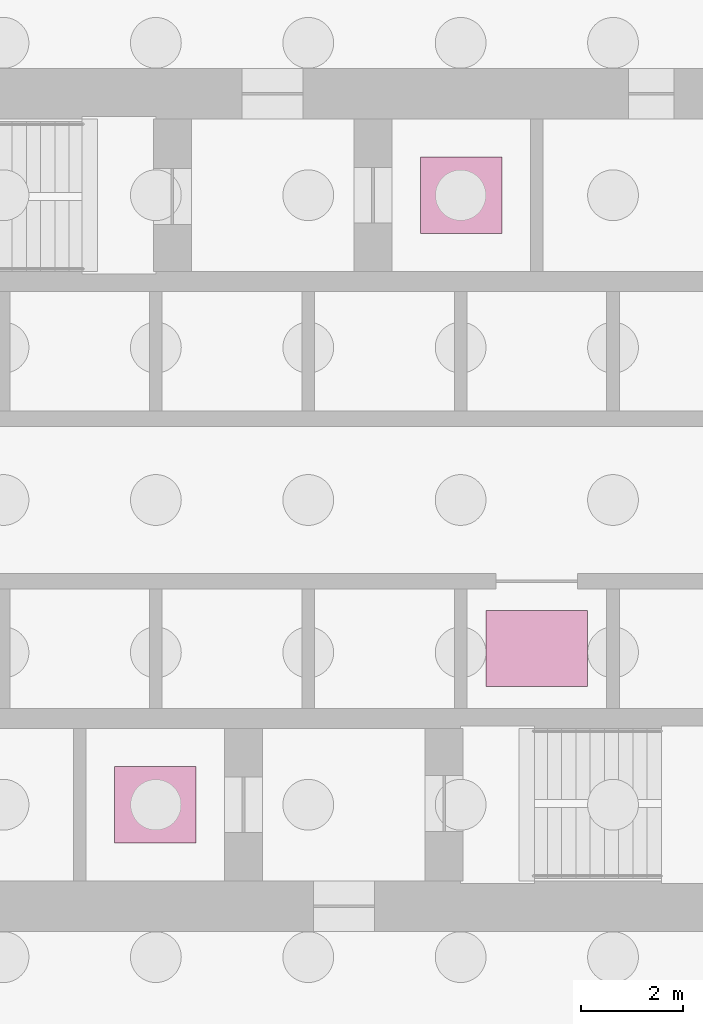
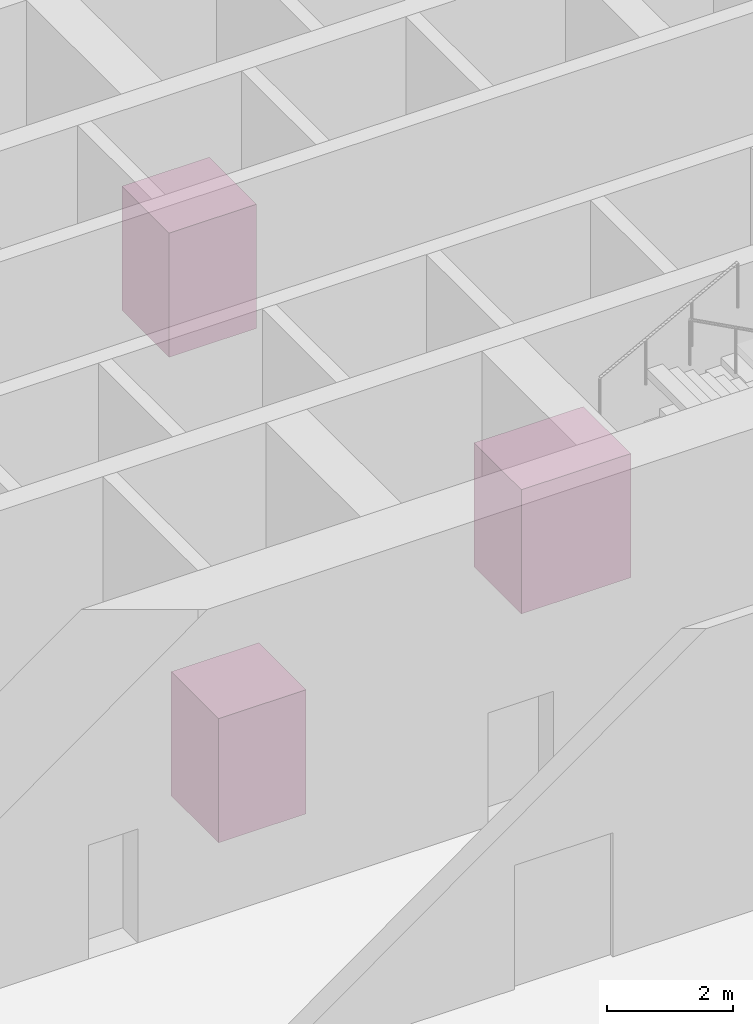
# One storey, part 12 of 12: 3 transport elements.
"""IFC4 building model written with IfcOpenShell, lengths in metres."""

from ifc_helpers import new_model, si_unit, direction, frame, origin, origin_2d, place, context, subcontext, project, spatial, rectangle, extrude, material, type_object, element, save


model = new_model("IFC4")

# Units and contexts
model_context = context("Model", 3, precision=1e-05, world=origin(), true_north=direction((0.0, 1.0)))
body_context = subcontext(model_context, "Body", "Model", "MODEL_VIEW")
ifc_project = project(units=[si_unit("LENGTHUNIT", "METRE"), si_unit("AREAUNIT", "SQUARE_METRE"), si_unit("VOLUMEUNIT", "CUBIC_METRE"), si_unit("PLANEANGLEUNIT", "RADIAN"), si_unit("MASSUNIT", "GRAM", prefix="KILO")], contexts=[model_context])

# Site, building, storey
site_placement = place(None, origin())
site = spatial("IfcSite", under=ifc_project, at=site_placement, CompositionType="ELEMENT")
building_placement = place(site_placement, origin())
building = spatial("IfcBuilding", under=site, at=building_placement, Name="Hankou Lantern Tower", CompositionType="ELEMENT")
storey_placement = place(building_placement, frame((0.0, 0.0, -6.0)))
storey = spatial("IfcBuildingStorey", under=building, at=storey_placement, Name="B1", CompositionType="ELEMENT", Elevation=-6.0)

# Transport elements
ifc_material_1 = material(Name="Steel lift car", Category="steel")
transport_element_type_1 = type_object("IfcTransportElementType", Name="LF-FL FIREFIGHTING LIFT 1150 KG", PredefinedType="ELEVATOR", material=ifc_material_1)
for number, where, z_axis, x_axis, name in (
    (1, (3.012451171875, 6.0, 0.0), (0.0, 0.0, 1.0), (1.0, 0.0, 0.0), "Lift FL1 firefighting lifts"),
    (2, (-3.012451171875, -6.0, 0.0), (0.0, 0.0, 1.0), (1.0, 0.0, 0.0), "Lift FL2 firefighting lifts"),
):
    element("IfcTransportElement", number, at=place(storey_placement, frame(where, z_axis=z_axis, x_axis=x_axis)), inside=storey, type_object=transport_element_type_1, Name=name, PredefinedType="ELEVATOR", context=body_context, shape_type="SweptSolid", body=[
        extrude(rectangle(XDim=1.60009765625, YDim=1.5, at=origin_2d()), origin(), (0.0, 0.0, 1.0), 2.4),
    ])
ifc_material_2 = material(Name="Steel lift car", Category="steel")
transport_element_type_2 = type_object("IfcTransportElementType", Name="LF-SV SERVICE LIFT 1350 KG", PredefinedType="ELEVATOR", material=ifc_material_2)
transport_element_placement = place(storey_placement, frame((4.5, -2.925048828125, 0.0), z_axis=(0.0, 0.0, 1.0), x_axis=(1.0, 0.0, 0.0)))
element("IfcTransportElement", 3, at=transport_element_placement, inside=storey, type_object=transport_element_type_2, Name="Lift SV1 service lift", PredefinedType="ELEVATOR", context=body_context, shape_type="SweptSolid", body=[
    extrude(rectangle(XDim=2.0, YDim=1.5, at=origin_2d()), origin(), (0.0, 0.0, 1.0), 2.4),
])

save(model, "model.ifc")
